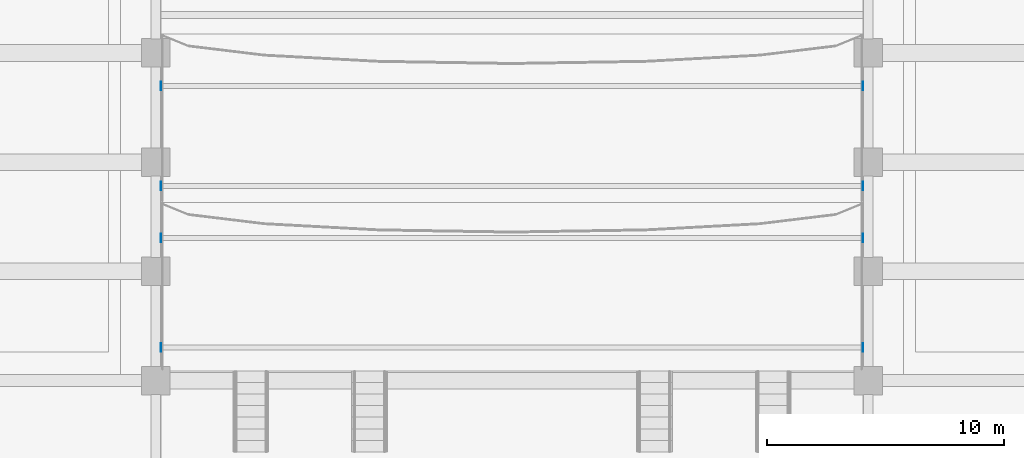
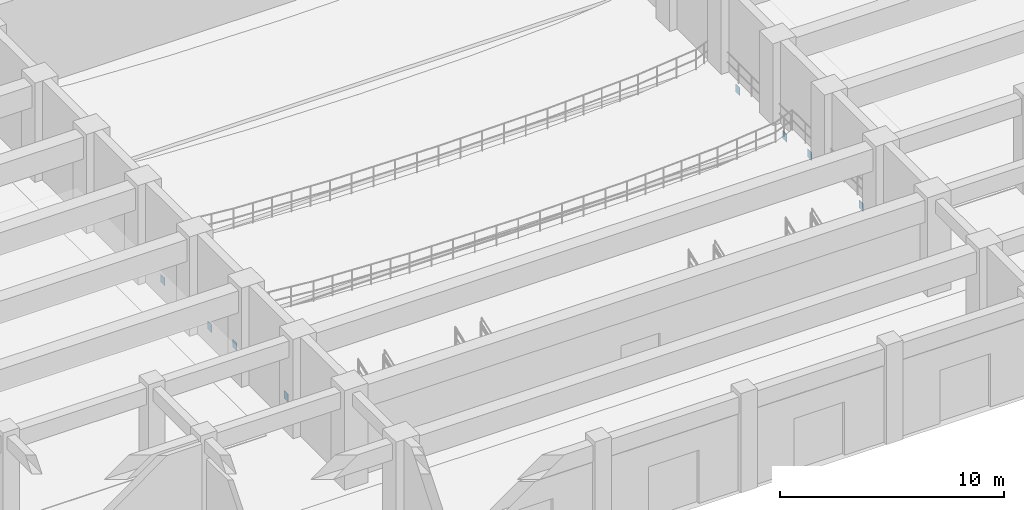
# One storey, part 61 of 84: 8 plates.
"""IFC4 building model written with IfcOpenShell, lengths in metres."""

from ifc_helpers import new_model, si_unit, direction, frame, origin, origin_2d, place, context, subcontext, project, spatial, rectangle, extrude, material, layer, layer_set, type_object, element, save


model = new_model("IFC4")

# Units and contexts
model_context = context("Model", 3, precision=1e-05, world=origin(), true_north=direction((0.0, 1.0)))
body_context = subcontext(model_context, "Body", "Model", "MODEL_VIEW")
ifc_project = project(units=[si_unit("LENGTHUNIT", "METRE"), si_unit("AREAUNIT", "SQUARE_METRE"), si_unit("VOLUMEUNIT", "CUBIC_METRE"), si_unit("PLANEANGLEUNIT", "RADIAN"), si_unit("MASSUNIT", "GRAM", prefix="KILO")], contexts=[model_context])

# Site, building, storey
site_placement = place(None, origin())
site = spatial("IfcSite", under=ifc_project, at=site_placement, CompositionType="ELEMENT")
building_placement = place(site_placement, origin())
building = spatial("IfcBuilding", under=site, at=building_placement, Name="Muzn Square Opera House", CompositionType="ELEMENT")
storey_placement = place(building_placement, origin())
storey = spatial("IfcBuildingStorey", under=building, at=storey_placement, Name="L00", CompositionType="ELEMENT", Elevation=0.0)

# Plates
ifc_material = material(Name="Steel S355", Category="steel")
ifc_layer = layer(ifc_material, 0.02490234375, Name="Steel S355", Category="steel")
ifc_layer_set = layer_set([ifc_layer], Name="Steel S355")
plate_type = type_object("IfcPlateType", Name="Cast-In Wall Embedment Plate 25mm 360x420", PredefinedType="USERDEFINED", material=ifc_layer_set)
for number, where, z_axis, x_axis, name in (
    (1, (73.2099609375, 44.0, 0.26513671875), (0.0, 0.0, 1.0), (1.0, 0.0, 0.0), "Raker Cast-In Wall Embedment Plate RAKER-L00-01-W"),
    (2, (102.7900390625, 44.0, 0.26513671875), (0.0, 0.0, 1.0), (1.0, 0.0, 0.0), "Raker Cast-In Wall Embedment Plate RAKER-L00-01-E"),
    (3, (73.2099609375, 48.199951171875, 0.26513671875), (0.0, 0.0, 1.0), (1.0, 0.0, 0.0), "Raker Cast-In Wall Embedment Plate RAKER-L00-02-W"),
    (4, (102.7900390625, 48.199951171875, 0.26513671875), (0.0, 0.0, 1.0), (1.0, 0.0, 0.0), "Raker Cast-In Wall Embedment Plate RAKER-L00-02-E"),
    (5, (73.2099609375, 37.199951171875, 0.614990234375), (0.0, 0.0, 1.0), (1.0, 0.0, 0.0), "Raker Cast-In Wall Embedment Plate RAKER-L00-03-W"),
    (6, (102.7900390625, 37.199951171875, 0.614990234375), (0.0, 0.0, 1.0), (1.0, 0.0, 0.0), "Raker Cast-In Wall Embedment Plate RAKER-L00-03-E"),
    (7, (73.2099609375, 41.800048828125, 0.614990234375), (0.0, 0.0, 1.0), (1.0, 0.0, 0.0), "Raker Cast-In Wall Embedment Plate RAKER-L00-04-W"),
    (8, (102.7900390625, 41.800048828125, 0.614990234375), (0.0, 0.0, 1.0), (1.0, 0.0, 0.0), "Raker Cast-In Wall Embedment Plate RAKER-L00-04-E"),
):
    element("IfcPlate", number, at=place(storey_placement, frame(where, z_axis=z_axis, x_axis=x_axis)), inside=storey, type_object=plate_type, Name=name, ObjectType="GUSSET PLATE", PredefinedType="USERDEFINED", context=body_context, shape_type="SweptSolid", body=[
        extrude(rectangle(XDim=0.02490234375, YDim=0.360107421875, at=origin_2d()), origin(), (0.0, 0.0, 1.0), 0.419921875),
    ])

save(model, "model.ifc")
